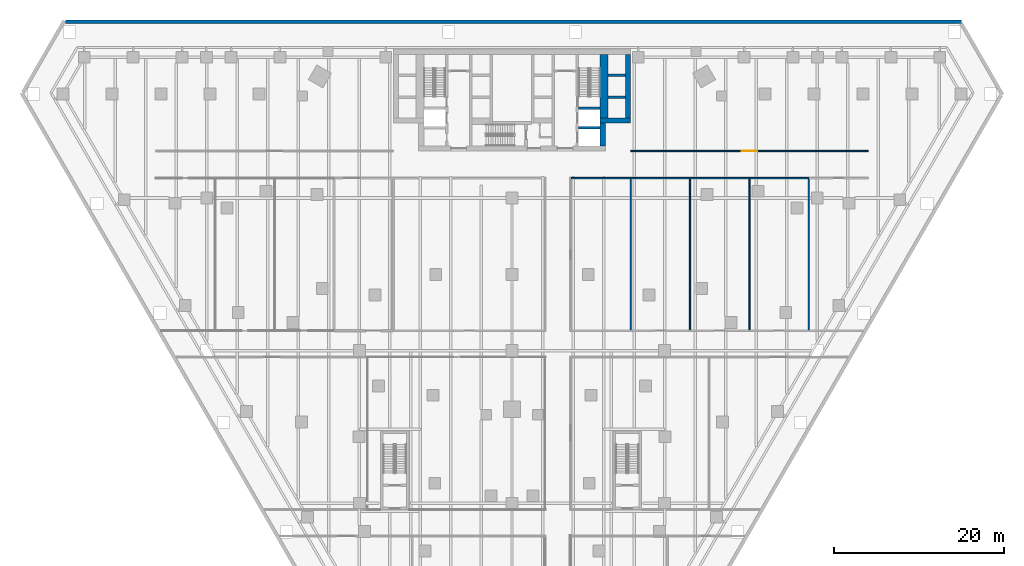
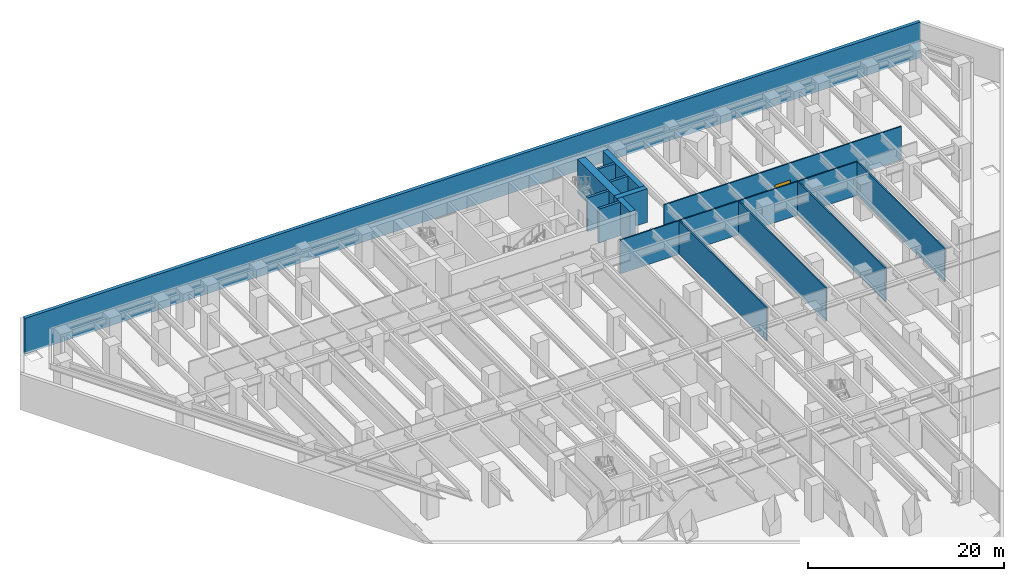
# One storey, part 16 of 20: 18 walls, 1 door, 1 opening.
"""IFC4 building model written with IfcOpenShell, lengths in metres."""

from ifc_helpers import new_model, si_unit, direction, frame, frame_2d, origin, place, context, subcontext, project, spatial, rectangle, extrude, material, layer, layer_set, type_object, element, fill, save


model = new_model("IFC4")

# Units and contexts
model_context = context("Model", 3, precision=1e-05, world=origin(), true_north=direction((0.0, 1.0)))
body_context = subcontext(model_context, "Body", "Model", "MODEL_VIEW")
ifc_project = project(units=[si_unit("LENGTHUNIT", "METRE"), si_unit("AREAUNIT", "SQUARE_METRE"), si_unit("VOLUMEUNIT", "CUBIC_METRE"), si_unit("PLANEANGLEUNIT", "RADIAN"), si_unit("MASSUNIT", "GRAM", prefix="KILO")], contexts=[model_context])

# Site, building, storey
site_placement = place(None, origin())
site = spatial("IfcSite", under=ifc_project, at=site_placement, CompositionType="ELEMENT")
building_placement = place(site_placement, origin())
building = spatial("IfcBuilding", under=site, at=building_placement, Name="Aloe Facet Convention Tower", CompositionType="ELEMENT")
storey_placement = place(building_placement, frame((0.0, 0.0, -4.5)))
storey = spatial("IfcBuildingStorey", under=building, at=storey_placement, Name="B1", CompositionType="ELEMENT", Elevation=-4.5)

# Walls
ifc_material_1 = material(Name="Concrete C80/95", Category="concrete")
ifc_layer_1 = layer(ifc_material_1, 0.300048828125)
ifc_layer_set_1 = layer_set([ifc_layer_1], Name="CR-W-RC300-C8095")
wall_type_1 = type_object("IfcWallType", Name="CR-W-RC300-C8095", PredefinedType="SOLIDWALL", material=ifc_layer_set_1)
for number, where, z_axis, x_axis, name in (
    (1, (87.85009765625, 127.60009765625, 0.0), (0.0, 0.0, 1.0), (1.0, 0.0, 0.0), "Core wall B1-029"),
    (2, (87.85009765625, 125.300048828125, 0.0), (0.0, 0.0, 1.0), (1.0, 0.0, 0.0), "Core wall B1-030"),
):
    element("IfcWall", number, at=place(storey_placement, frame(where, z_axis=z_axis, x_axis=x_axis)), inside=storey, type_object=wall_type_1, Name=name, PredefinedType="SOLIDWALL", context=body_context, shape_type="SweptSolid", body=[
        extrude(rectangle(XDim=2.5498046875, YDim=0.300048828125, at=frame_2d((1.27490234375, 0.0))), origin(), (0.0, 0.0, 1.0), 4.199951171875),
    ])
for number, where, z_axis, x_axis, name in (
    (3, (91.300048828125, 131.5, 0.0), (0.0, 0.0, 1.0), (1.0, 0.0, 0.0), "Core wall B1-034"),
    (4, (91.300048828125, 128.89990234375, 0.0), (0.0, 0.0, 1.0), (1.0, 0.0, 0.0), "Core wall B1-035"),
):
    element("IfcWall", number, at=place(storey_placement, frame(where, z_axis=z_axis, x_axis=x_axis)), inside=storey, type_object=wall_type_1, Name=name, PredefinedType="SOLIDWALL", context=body_context, shape_type="SweptSolid", body=[
        extrude(rectangle(XDim=2.099853515625, YDim=0.300048828125, at=frame_2d((1.0498046875, 0.0))), origin(), (0.0, 0.0, 1.0), 4.199951171875),
    ])
ifc_material_2 = material(Name="Concrete C80/95", Category="concrete")
ifc_layer_2 = layer(ifc_material_2, 0.60009765625)
ifc_layer_set_2 = layer_set([ifc_layer_2], Name="CR-W-RC600-C8095")
wall_type_2 = type_object("IfcWallType", Name="CR-W-RC600-C8095", PredefinedType="SOLIDWALL", material=ifc_layer_set_2)
wall_1_placement = place(storey_placement, frame((90.39990234375, 126.14990234375, 0.0), z_axis=(0.0, 0.0, 1.0), x_axis=(1.0, 0.0, 0.0)))
element("IfcWall", 5, at=wall_1_placement, inside=storey, type_object=wall_type_2, Name="Core wall B1-032", PredefinedType="SOLIDWALL", context=body_context, shape_type="SweptSolid", body=[
    extrude(rectangle(XDim=3.60009765625, YDim=0.60009765625, at=frame_2d((1.800048828125, 0.0))), origin(), (0.0, 0.0, 1.0), 4.199951171875),
])
wall_2_placement = place(storey_placement, frame((90.699951171875, 125.85009765625, 0.0), z_axis=(0.0, 0.0, 1.0), x_axis=(0.0, -1.0, 0.0)))
element("IfcWall", 6, at=wall_2_placement, inside=storey, type_object=wall_type_2, Name="Core wall B1-033", PredefinedType="SOLIDWALL", context=body_context, shape_type="SweptSolid", body=[
    extrude(rectangle(XDim=2.7001953125, YDim=0.60009765625, at=frame_2d((1.35009765625, 0.0))), origin(), (0.0, 0.0, 1.0), 4.199951171875),
])
wall_3_placement = place(storey_placement, frame((93.699951171875, 133.949951171875, 0.0), z_axis=(0.0, 0.0, 1.0), x_axis=(0.0, -1.0, 0.0)))
element("IfcWall", 7, at=wall_3_placement, inside=storey, type_object=wall_type_2, Name="Core wall B1-036", PredefinedType="SOLIDWALL", context=body_context, shape_type="SweptSolid", body=[
    extrude(rectangle(XDim=7.5, YDim=0.60009765625, at=frame_2d((3.75, 0.0))), origin(), (0.0, 0.0, 1.0), 4.199951171875),
])
ifc_material_3 = material(Name="Concrete C80/95", Category="concrete")
ifc_layer_3 = layer(ifc_material_3, 0.89990234375)
ifc_layer_set_3 = layer_set([ifc_layer_3], Name="CR-W-RC900-C8095")
wall_type_3 = type_object("IfcWallType", Name="CR-W-RC900-C8095", PredefinedType="SOLIDWALL", material=ifc_layer_set_3)
wall_4_placement = place(storey_placement, frame((90.85009765625, 133.949951171875, 0.0), z_axis=(0.0, 0.0, 1.0), x_axis=(0.0, -1.0, 0.0)))
element("IfcWall", 8, at=wall_4_placement, inside=storey, type_object=wall_type_3, Name="Core wall B1-031", PredefinedType="SOLIDWALL", context=body_context, shape_type="SweptSolid", body=[
    extrude(rectangle(XDim=7.5, YDim=0.89990234375, at=frame_2d((3.75, 0.0))), origin(), (0.0, 0.0, 1.0), 4.199951171875),
])
ifc_material_4 = material(Name="Gypsum board partition on steel studs, double layer", Category="steel")
ifc_layer_4 = layer(ifc_material_4, 0.14990234375)
ifc_layer_set_4 = layer_set([ifc_layer_4], Name="IN-POD-W-CORR")
wall_type_4 = type_object("IfcWallType", Name="IN-POD-W-CORR", PredefinedType="PARTITIONING", material=ifc_layer_set_4)
for number, where, z_axis, x_axis, name in (
    (9, (94.0, 101.425048828125, 0.0), (0.0, 0.0, 1.0), (0.0, 1.0, 0.0), "Partition B1-W042"),
    (10, (101.0, 101.425048828125, 0.0), (0.0, 0.0, 1.0), (0.0, 1.0, 0.0), "Partition B1-W044"),
    (11, (108.0, 101.425048828125, 0.0), (0.0, 0.0, 1.0), (0.0, 1.0, 0.0), "Partition B1-W046"),
    (12, (115.0, 101.425048828125, 0.0), (0.0, 0.0, 1.0), (0.0, 1.0, 0.0), "Partition B1-W048"),
):
    element("IfcWall", number, at=place(storey_placement, frame(where, z_axis=z_axis, x_axis=x_axis)), inside=storey, type_object=wall_type_4, Name=name, PredefinedType="PARTITIONING", context=body_context, shape_type="SweptSolid", body=[
        extrude(rectangle(XDim=17.849853515625, YDim=0.14990234375, at=frame_2d((8.9248046875, 0.0))), origin(), (0.0, 0.0, 1.0), 4.199951171875),
    ])
wall_5_placement = place(storey_placement, frame((86.97509765625, 119.35009765625, 0.0), z_axis=(0.0, 0.0, 1.0), x_axis=(1.0, 0.0, 0.0)))
element("IfcWall", 13, at=wall_5_placement, inside=storey, type_object=wall_type_4, Name="Partition B1-W056", PredefinedType="PARTITIONING", context=body_context, shape_type="SweptSolid", body=[
    extrude(rectangle(XDim=7.02490234375, YDim=0.14990234375, at=frame_2d((3.512451171875, 0.0))), origin(), (0.0, 0.0, 1.0), 4.199951171875),
])
for number, where, z_axis, x_axis, name in (
    (14, (94.0, 119.35009765625, 0.0), (0.0, 0.0, 1.0), (1.0, 0.0, 0.0), "Partition B1-W057"),
    (15, (101.0, 119.35009765625, 0.0), (0.0, 0.0, 1.0), (1.0, 0.0, 0.0), "Partition B1-W058"),
    (16, (108.0, 119.35009765625, 0.0), (0.0, 0.0, 1.0), (1.0, 0.0, 0.0), "Partition B1-W059"),
):
    element("IfcWall", number, at=place(storey_placement, frame(where, z_axis=z_axis, x_axis=x_axis)), inside=storey, type_object=wall_type_4, Name=name, PredefinedType="PARTITIONING", context=body_context, shape_type="SweptSolid", body=[
        extrude(rectangle(XDim=7.0, YDim=0.14990234375, at=frame_2d((3.5, 0.0))), origin(), (0.0, 0.0, 1.0), 4.199951171875),
    ])

# Wall, opening, door
wall_6_placement = place(storey_placement, frame((94.0, 122.550048828125, 0.0), z_axis=(0.0, 0.0, 1.0), x_axis=(1.0, 0.0, 0.0)))
wall_6 = element("IfcWall", 17, at=wall_6_placement, inside=storey, type_object=wall_type_4, Name="Partition B1-W062", PredefinedType="PARTITIONING", context=body_context, shape_type="SweptSolid", body=[
    extrude(rectangle(XDim=28.0, YDim=0.14990234375, at=frame_2d((14.0, 0.0))), origin(), (0.0, 0.0, 1.0), 4.199951171875),
])
opening_placement = place(wall_6_placement, frame((13.10009765625, 0.0, 0.0)))
opening = element("IfcOpeningElement", 18, at=opening_placement, cuts=wall_6, Name="Opening B1-002", PredefinedType="OPENING", context=body_context, shape_type="SweptSolid", body=[
    extrude(rectangle(XDim=1.800048828125, YDim=2.10009765625, at=frame_2d((0.89990234375, 1.050048828125))), frame((0.0, 0.0849609375, 0.0), z_axis=(0.0, -1.0, 0.0), x_axis=(1.0, 0.0, 0.0)), (0.0, 0.0, 1.0), 0.169921875),
])
ifc_material_5 = material(Name="Steel flush door pair, galvanised", Category="steel")
door_type = type_object("IfcDoorType", Name="IN-POD-D-PLANTPAIR", OperationType="DOUBLE_DOOR_SINGLE_SWING", PredefinedType="DOOR", material=ifc_material_5)
door_placement = place(opening_placement, origin())
door = element("IfcDoor", 19, at=door_placement, inside=storey, type_object=door_type, Name="Door B1-002", OperationType="SINGLE_SWING_LEFT", OverallHeight=2.10009765625, OverallWidth=1.800048828125, PredefinedType="DOOR", context=body_context, shape_type="SweptSolid", body=[
    extrude(rectangle(XDim=1.800048828125, YDim=2.10009765625, at=frame_2d((0.89990234375, 1.050048828125))), frame((0.0, 0.02490234375, 0.0), z_axis=(0.0, -1.0, 0.0), x_axis=(1.0, 0.0, 0.0)), (0.0, 0.0, 1.0), 0.050048828125),
])
fill(opening, door)

# Wall
ifc_material_6 = material(Name="Concrete C40/50", Category="concrete")
ifc_layer_5 = layer(ifc_material_6, 0.39990234375)
ifc_layer_set_5 = layer_set([ifc_layer_5], Name="SF-RW-400")
wall_type_5 = type_object("IfcWallType", Name="SF-RW-400", PredefinedType="SOLIDWALL", material=ifc_layer_set_5)
wall_7_placement = place(storey_placement, frame((27.3408203125, 137.800048828125, -0.25), z_axis=(0.0, 0.0, 1.0), x_axis=(1.0, 0.0, 0.0)))
element("IfcWall", 20, at=wall_7_placement, inside=storey, type_object=wall_type_5, Name="RETAINING WALL B1-05", PredefinedType="SOLIDWALL", context=body_context, shape_type="SweptSolid", body=[
    extrude(rectangle(XDim=105.65869140625, YDim=0.39990234375, at=frame_2d((52.829345703125, 0.0))), origin(), (0.0, 0.0, 1.0), 4.449951171875),
])

save(model, "model.ifc")
